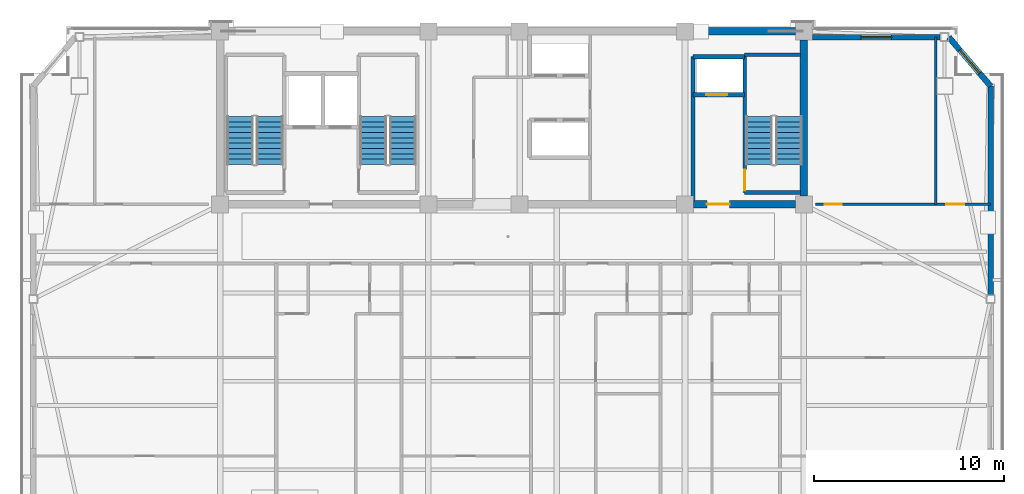
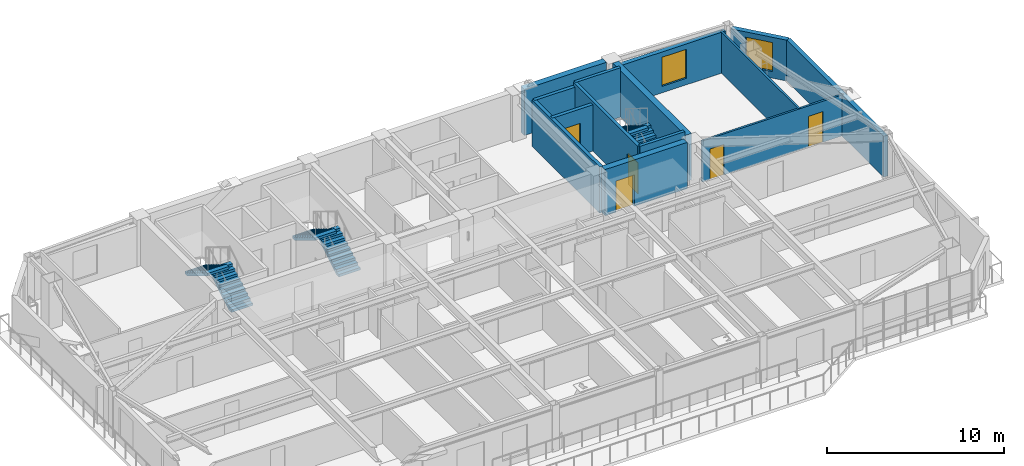
# One storey, part 10 of 15: 14 walls, 6 stair flights, 5 doors, 2 windows, 7 openings, 3 elements without a shape of their own.
"""IFC4 building model written with IfcOpenShell, lengths in metres."""

from ifc_helpers import new_model, si_unit, direction, frame, frame_2d, origin, place, context, subcontext, project, spatial, polyline, rectangle, outline, extrude, source, transform, mapped, material, layer, layer_set, type_object, element, fill, aggregate, save


model = new_model("IFC4")

# Units and contexts
model_context = context("Model", 3, precision=1e-05, world=origin(), true_north=direction((0.0, 1.0)))
body_context = subcontext(model_context, "Body", "Model", "MODEL_VIEW")
ifc_project = project(units=[si_unit("LENGTHUNIT", "METRE"), si_unit("AREAUNIT", "SQUARE_METRE"), si_unit("VOLUMEUNIT", "CUBIC_METRE"), si_unit("PLANEANGLEUNIT", "RADIAN"), si_unit("MASSUNIT", "GRAM", prefix="KILO")], contexts=[model_context])

# Site, building, storey
site_placement = place(None, origin())
site = spatial("IfcSite", under=ifc_project, at=site_placement, CompositionType="ELEMENT")
building_placement = place(site_placement, origin())
building = spatial("IfcBuilding", under=site, at=building_placement, Name="Giltprow Tower", CompositionType="ELEMENT")
storey_placement = place(building_placement, frame((0.0, 0.0, 293.800048828125)))
storey = spatial("IfcBuildingStorey", under=building, at=storey_placement, Name="L75", CompositionType="ELEMENT", Elevation=293.800048828125)

# Wall, opening, window
ifc_material_1 = material(Name="Precast concrete C40", Category="concrete")
ifc_layer_1 = layer(ifc_material_1, 0.300048828125, Name="Precast concrete C40")
ifc_layer_set_1 = layer_set([ifc_layer_1], Name="Precast concrete C40")
wall_type_1 = type_object("IfcWallType", Name="EW-NOTCH-CHAMFER-300", PredefinedType="SOLIDWALL", material=ifc_layer_set_1)
wall_1_placement = place(storey_placement, frame((60.3759765625, 43.6689453125, 0.0), z_axis=(0.0, 0.0, 1.0), x_axis=(-0.649724860602, 0.76016945842, 0.0)))
wall_1 = element("IfcWall", 1, at=wall_1_placement, inside=storey, type_object=wall_type_1, Name="L75 Corner Notch Wall NE", PredefinedType="SOLIDWALL", context=body_context, shape_type="SweptSolid", body=[
    extrude(rectangle(XDim=3.395263671875, YDim=0.300048828125, at=frame_2d((1.69775390625, 0.0))), origin(), (0.0, 0.0, 1.0), 2.81494140625),
])
opening_1_placement = place(wall_1_placement, frame((0.89794921875, 0.0, 0.449951171875)))
opening_1 = element("IfcOpeningElement", 2, at=opening_1_placement, cuts=wall_1, Name="Opening WN17", PredefinedType="OPENING", context=body_context, shape_type="SweptSolid", body=[
    extrude(rectangle(XDim=1.60009765625, YDim=2.0, at=frame_2d((0.800048828125, 1.0))), frame((0.0, 0.159912109375, 0.0), z_axis=(0.0, -1.0, 0.0), x_axis=(1.0, 0.0, 0.0)), (0.0, 0.0, 1.0), 0.320068359375),
])
ifc_material_2 = material(Name="Insulated glass", Category="glass")
window_type = type_object("IfcWindowType", Name="WN-COR-1600x2000", PartitioningType="SINGLE_PANEL", PredefinedType="WINDOW", material=ifc_material_2)
shared_shape_1 = source(origin(), body_context, "Body", "SweptSolid", [
    extrude(rectangle(XDim=1.60009765625, YDim=2.0, at=frame_2d((0.800048828125, 1.0))), frame((0.0, 0.030029296875, 0.0), z_axis=(0.0, -1.0, 0.0), x_axis=(1.0, 0.0, 0.0)), (0.0, 0.0, 1.0), 0.06005859375),
])
window_1_placement = place(opening_1_placement, origin())
window_1 = element("IfcWindow", 3, at=window_1_placement, inside=storey, type_object=window_type, Name="L75 Corner Notch Window NE", OverallHeight=2.0, OverallWidth=1.60009765625, PartitioningType="SINGLE_PANEL", PredefinedType="WINDOW", context=body_context, shape_type="MappedRepresentation", body=[
    mapped(shared_shape_1, transform((0.0, 0.0, 0.0), x_axis=(1.0, 0.0, 0.0), y_axis=(0.0, 1.0, 0.0), z_axis=(0.0, 0.0, 1.0), scale=1.0)),
])
fill(opening_1, window_1)

# Wall
ifc_layer_2 = layer(ifc_material_1, 0.280029296875, Name="Precast concrete C40")
ifc_layer_set_2 = layer_set([ifc_layer_2], Name="Precast concrete C40")
wall_type_2 = type_object("IfcWallType", Name="EW-TOW-BRONZE-280", PredefinedType="SOLIDWALL", material=ifc_layer_set_2)
wall_2_placement = place(storey_placement, frame((60.3759765625, 32.696044921875, 0.0), z_axis=(0.0, 0.0, 1.0), x_axis=(0.0, 1.0, 0.0)))
element("IfcWall", 4, at=wall_2_placement, inside=storey, type_object=wall_type_2, Name="L75 E Wing Masonry Wall 2", PredefinedType="SOLIDWALL", context=body_context, shape_type="SweptSolid", body=[
    extrude(rectangle(XDim=10.972900390625, YDim=0.280029296875, at=frame_2d((5.486328125, 0.0))), origin(), (0.0, 0.0, 1.0), 2.81494140625),
])

# Wall, opening, window
wall_3_placement = place(storey_placement, frame((51.0, 46.25, 0.0), z_axis=(0.0, 0.0, 1.0), x_axis=(1.0, 0.0, 0.0)))
wall_3 = element("IfcWall", 5, at=wall_3_placement, inside=storey, type_object=wall_type_2, Name="L75 North-East Wing Wall", PredefinedType="SOLIDWALL", context=body_context, shape_type="SweptSolid", body=[
    extrude(rectangle(XDim=6.719970703125, YDim=0.280029296875, at=frame_2d((3.35986328125, 0.0))), origin(), (0.0, 0.0, 1.0), 2.81494140625),
])
opening_2_placement = place(wall_3_placement, frame((2.56005859375, 0.0, 0.449951171875)))
opening_2 = element("IfcOpeningElement", 6, at=opening_2_placement, cuts=wall_3, Name="Opening WN17", PredefinedType="OPENING", context=body_context, shape_type="SweptSolid", body=[
    extrude(rectangle(XDim=1.60009765625, YDim=2.0, at=frame_2d((0.800048828125, 1.0))), frame((0.0, 0.14990234375, 0.0), z_axis=(0.0, -1.0, 0.0), x_axis=(1.0, 0.0, 0.0)), (0.0, 0.0, 1.0), 0.300048828125),
])
window_2_placement = place(opening_2_placement, origin())
window_2 = element("IfcWindow", 7, at=window_2_placement, inside=storey, type_object=window_type, Name="L75 North-East Window", OverallHeight=2.0, OverallWidth=1.60009765625, PartitioningType="SINGLE_PANEL", PredefinedType="WINDOW", context=body_context, shape_type="MappedRepresentation", body=[
    mapped(shared_shape_1, transform((0.0, 0.0, 0.0), x_axis=(1.0, 0.0, 0.0), y_axis=(0.0, 1.0, 0.0), z_axis=(0.0, 0.0, 1.0), scale=1.0)),
])
fill(opening_2, window_2)

# Wall, opening, door
ifc_material_3 = material(Name="Concrete C40", Category="concrete")
ifc_layer_3 = layer(ifc_material_3, 0.219970703125, Name="Concrete C40")
ifc_layer_set_3 = layer_set([ifc_layer_3], Name="Concrete C40")
wall_type_3 = type_object("IfcWallType", Name="IW-SHAFT-220", PredefinedType="SOLIDWALL", material=ifc_layer_set_3)
wall_4_placement = place(storey_placement, frame((44.719970703125, 43.219970703125, 0.0), z_axis=(0.0, 0.0, 1.0), x_axis=(1.0, 0.0, 0.0)))
wall_4 = element("IfcWall", 8, at=wall_4_placement, inside=storey, type_object=wall_type_3, Name="L75 FFL2 Front Shaft Wall", PredefinedType="SOLIDWALL", context=body_context, shape_type="SweptSolid", body=[
    extrude(rectangle(XDim=2.719970703125, YDim=0.219970703125, at=frame_2d((1.35986328125, 0.0))), origin(), (0.0, 0.0, 1.0), 3.18505859375),
])
opening_3_placement = place(wall_4_placement, frame((0.699951171875, 0.0, 0.0)))
opening_3 = element("IfcOpeningElement", 9, at=opening_3_placement, cuts=wall_4, Name="Opening LD-11", PredefinedType="OPENING", context=body_context, shape_type="SweptSolid", body=[
    extrude(rectangle(XDim=1.10009765625, YDim=2.199951171875, at=frame_2d((0.550048828125, 1.10009765625))), frame((0.0, 0.119873046875, 0.0), z_axis=(0.0, -1.0, 0.0), x_axis=(1.0, 0.0, 0.0)), (0.0, 0.0, 1.0), 0.239990234375),
])
ifc_material_4 = material(Name="Stainless steel", Category="steel")
door_type_1 = type_object("IfcDoorType", Name="DR-LIFT-LD1100", OperationType="SLIDING_TO_LEFT", PredefinedType="DOOR", material=ifc_material_4)
shared_shape_2 = source(origin(), body_context, "Body", "SweptSolid", [
    extrude(rectangle(XDim=1.10009765625, YDim=2.199951171875, at=frame_2d((0.550048828125, 1.10009765625))), frame((0.0, 0.02490234375, 0.0), z_axis=(0.0, -1.0, 0.0), x_axis=(1.0, 0.0, 0.0)), (0.0, 0.0, 1.0), 0.050048828125),
])
door_1_placement = place(opening_3_placement, origin())
door_1 = element("IfcDoor", 10, at=door_1_placement, inside=storey, type_object=door_type_1, Name="L75 FFL2 Landing Door", OperationType="SLIDING_TO_LEFT", OverallHeight=2.199951171875, OverallWidth=1.10009765625, PredefinedType="DOOR", context=body_context, shape_type="MappedRepresentation", body=[
    mapped(shared_shape_2, transform((0.0, 0.0, 0.0), x_axis=(1.0, 0.0, 0.0), y_axis=(0.0, 1.0, 0.0), z_axis=(0.0, 0.0, 1.0), scale=1.0)),
])
fill(opening_3, door_1)

# Walls
wall_5_placement = place(storey_placement, frame((44.719970703125, 45.219970703125, 0.0), z_axis=(0.0, 0.0, 1.0), x_axis=(1.0, 0.0, 0.0)))
element("IfcWall", 11, at=wall_5_placement, inside=storey, type_object=wall_type_3, Name="L75 FFL2 Back Shaft Wall", PredefinedType="SOLIDWALL", context=body_context, shape_type="SweptSolid", body=[
    extrude(rectangle(XDim=2.719970703125, YDim=0.219970703125, at=frame_2d((1.35986328125, 0.0))), origin(), (0.0, 0.0, 1.0), 3.18505859375),
])
wall_6_placement = place(storey_placement, frame((44.719970703125, 37.6298828125, 0.0), z_axis=(0.0, 0.0, 1.0), x_axis=(0.0, 1.0, 0.0)))
element("IfcWall", 12, at=wall_6_placement, inside=storey, type_object=wall_type_3, Name="L75 East Firefighting Lobby West Wall", PredefinedType="SOLIDWALL", context=body_context, shape_type="SweptSolid", body=[
    extrude(rectangle(XDim=7.590087890625, YDim=0.219970703125, at=frame_2d((3.794921875, 0.0))), origin(), (0.0, 0.0, 1.0), 3.18505859375),
])

# Wall, opening, door
ifc_layer_4 = layer(ifc_material_3, 0.199951171875, Name="Concrete C40")
ifc_layer_set_4 = layer_set([ifc_layer_4], Name="Concrete C40")
wall_type_4 = type_object("IfcWallType", Name="IW-STAIR-200", PredefinedType="SOLIDWALL", material=ifc_layer_set_4)
wall_7_placement = place(storey_placement, frame((47.43994140625, 38.070068359375, 0.0), z_axis=(0.0, 0.0, 1.0), x_axis=(0.0, 1.0, 0.0)))
wall_7 = element("IfcWall", 13, at=wall_7_placement, inside=storey, type_object=wall_type_4, Name="L75 Stair ST-3 West Bearing Wall", PredefinedType="SOLIDWALL", context=body_context, shape_type="SweptSolid", body=[
    extrude(rectangle(XDim=7.25, YDim=0.199951171875, at=frame_2d((3.625, 0.0))), origin(), (0.0, 0.0, 1.0), 3.39990234375),
])
opening_4_placement = place(wall_7_placement, frame((0.110107421875, 0.0, 0.0)))
opening_4 = element("IfcOpeningElement", 14, at=opening_4_placement, cuts=wall_7, Name="Opening ID33", PredefinedType="OPENING", context=body_context, shape_type="SweptSolid", body=[
    extrude(rectangle(XDim=1.10009765625, YDim=2.14990234375, at=frame_2d((0.550048828125, 1.074951171875))), frame((0.0, 0.10986328125, 0.0), z_axis=(0.0, -1.0, 0.0), x_axis=(1.0, 0.0, 0.0)), (0.0, 0.0, 1.0), 0.219970703125),
])
ifc_material_5 = material(Name="Steel fire leaf", Category="steel")
door_type_2 = type_object("IfcDoorType", Name="DR-STAIR-1100", OperationType="SINGLE_SWING_LEFT", PredefinedType="DOOR", material=ifc_material_5)
shared_shape_3 = source(origin(), body_context, "Body", "SweptSolid", [
    extrude(rectangle(XDim=1.10009765625, YDim=2.14990234375, at=frame_2d((0.550048828125, 1.074951171875))), frame((0.0, 0.02490234375, 0.0), z_axis=(0.0, -1.0, 0.0), x_axis=(1.0, 0.0, 0.0)), (0.0, 0.0, 1.0), 0.050048828125),
])
door_2_placement = place(opening_4_placement, origin())
door_2 = element("IfcDoor", 15, at=door_2_placement, inside=storey, type_object=door_type_2, Name="L75 Stair ST-3 Fire Door", OperationType="SINGLE_SWING_RIGHT", OverallHeight=2.14990234375, OverallWidth=1.10009765625, PredefinedType="DOOR", context=body_context, shape_type="MappedRepresentation", body=[
    mapped(shared_shape_3, transform((0.0, 0.0, 0.0), x_axis=(1.0, 0.0, 0.0), y_axis=(0.0, 1.0, 0.0), z_axis=(0.0, 0.0, 1.0), scale=1.0)),
])
fill(opening_4, door_2)

# Walls
for number, where, z_axis, x_axis, name in (
    (16, (47.43994140625, 45.320068359375, 0.0), (0.0, 0.0, 1.0), (1.0, 0.0, 0.0), "L75 Stair ST-3 North Bearing Wall"),
    (17, (47.43994140625, 38.070068359375, 0.0), (0.0, 0.0, 1.0), (1.0, 0.0, 0.0), "L75 Stair ST-3 South Bearing Wall"),
):
    element("IfcWall", number, at=place(storey_placement, frame(where, z_axis=z_axis, x_axis=x_axis)), inside=storey, type_object=wall_type_4, Name=name, PredefinedType="SOLIDWALL", context=body_context, shape_type="SweptSolid", body=[
        extrude(rectangle(XDim=2.93017578125, YDim=0.199951171875, at=frame_2d((1.465087890625, 0.0))), origin(), (0.0, 0.0, 1.0), 3.39990234375),
    ])

# Wall, openings, doors
ifc_material_6 = material(Name="Concrete C30", Category="concrete")
ifc_layer_5 = layer(ifc_material_6, 0.1298828125, Name="Concrete C30")
ifc_layer_set_5 = layer_set([ifc_layer_5], Name="Concrete C30")
wall_type_5 = type_object("IfcWallType", Name="IW-WET-130", PredefinedType="PARTITIONING", material=ifc_layer_set_5)
wall_8_placement = place(storey_placement, frame((51.14990234375, 37.449951171875, 0.0), z_axis=(0.0, 0.0, 1.0), x_axis=(1.0, 0.0, 0.0)))
wall_8 = element("IfcWall", 18, at=wall_8_placement, inside=storey, type_object=wall_type_5, Name="L75 NE Wing South Wall", PredefinedType="PARTITIONING", context=body_context, shape_type="SweptSolid", body=[
    extrude(rectangle(XDim=9.22607421875, YDim=0.1298828125, at=frame_2d((4.613037109375, 0.0))), origin(), (0.0, 0.0, 1.0), 2.820068359375),
])
opening_5_placement = place(wall_8_placement, frame((0.5, 0.0, 0.0)))
opening_5 = element("IfcOpeningElement", 19, at=opening_5_placement, cuts=wall_8, Name="Opening ID15", PredefinedType="OPENING", context=body_context, shape_type="SweptSolid", body=[
    extrude(rectangle(XDim=0.89990234375, YDim=2.10009765625, at=frame_2d((0.449951171875, 1.050048828125))), frame((0.0, 0.074951171875, 0.0), z_axis=(0.0, -1.0, 0.0), x_axis=(1.0, 0.0, 0.0)), (0.0, 0.0, 1.0), 0.14990234375),
])
opening_6_placement = place(wall_8_placement, frame((6.89794921875, 0.0, 0.0)))
opening_6 = element("IfcOpeningElement", 20, at=opening_6_placement, cuts=wall_8, Name="Opening ID11", PredefinedType="OPENING", context=body_context, shape_type="SweptSolid", body=[
    extrude(rectangle(XDim=0.949951171875, YDim=2.10009765625, at=frame_2d((0.47509765625, 1.050048828125))), frame((0.0, 0.074951171875, 0.0), z_axis=(0.0, -1.0, 0.0), x_axis=(1.0, 0.0, 0.0)), (0.0, 0.0, 1.0), 0.14990234375),
])
ifc_material_7 = material(Name="Engineered timber", Category="wood")
door_type_3 = type_object("IfcDoorType", Name="DR-WC-900", OperationType="SINGLE_SWING_LEFT", PredefinedType="DOOR", material=ifc_material_7)
shared_shape_4 = source(origin(), body_context, "Body", "SweptSolid", [
    extrude(rectangle(XDim=0.89990234375, YDim=2.10009765625, at=frame_2d((0.449951171875, 1.050048828125))), frame((0.0, 0.02490234375, 0.0), z_axis=(0.0, -1.0, 0.0), x_axis=(1.0, 0.0, 0.0)), (0.0, 0.0, 1.0), 0.050048828125),
])
door_3_placement = place(opening_5_placement, origin())
door_3 = element("IfcDoor", 21, at=door_3_placement, inside=storey, type_object=door_type_3, Name="L75 East Wing Washroom Door", OperationType="SINGLE_SWING_RIGHT", OverallHeight=2.10009765625, OverallWidth=0.89990234375, PredefinedType="DOOR", context=body_context, shape_type="MappedRepresentation", body=[
    mapped(shared_shape_4, transform((0.0, 0.0, 0.0), x_axis=(1.0, 0.0, 0.0), y_axis=(0.0, 1.0, 0.0), z_axis=(0.0, 0.0, 1.0), scale=1.0)),
])
fill(opening_5, door_3)
door_type_4 = type_object("IfcDoorType", Name="DR-ROOM-950", OperationType="SINGLE_SWING_RIGHT", PredefinedType="DOOR", material=ifc_material_7)
shared_shape_5 = source(origin(), body_context, "Body", "SweptSolid", [
    extrude(rectangle(XDim=0.949951171875, YDim=2.10009765625, at=frame_2d((0.47509765625, 1.050048828125))), frame((0.0, 0.02490234375, 0.0), z_axis=(0.0, -1.0, 0.0), x_axis=(1.0, 0.0, 0.0)), (0.0, 0.0, 1.0), 0.050048828125),
])
door_4_placement = place(opening_6_placement, origin())
door_4 = element("IfcDoor", 22, at=door_4_placement, inside=storey, type_object=door_type_4, Name="L75 Residents Reading Lounge Door", OperationType="SINGLE_SWING_LEFT", OverallHeight=2.10009765625, OverallWidth=0.949951171875, PredefinedType="DOOR", context=body_context, shape_type="MappedRepresentation", body=[
    mapped(shared_shape_5, transform((0.0, 0.0, 0.0), x_axis=(1.0, 0.0, 0.0), y_axis=(0.0, 1.0, 0.0), z_axis=(0.0, 0.0, 1.0), scale=1.0)),
])
fill(opening_6, door_4)

# Walls
wall_9_placement = place(storey_placement, frame((57.498046875, 37.449951171875, 0.0), z_axis=(0.0, 0.0, 1.0), x_axis=(0.0, 1.0, 0.0)))
element("IfcWall", 23, at=wall_9_placement, inside=storey, type_object=wall_type_5, Name="L75 NE Wing Divider", PredefinedType="PARTITIONING", context=body_context, shape_type="SweptSolid", body=[
    extrude(rectangle(XDim=8.800048828125, YDim=0.1298828125, at=frame_2d((4.39990234375, 0.0))), origin(), (0.0, 0.0, 1.0), 2.820068359375),
])
ifc_material_8 = material(Name="Concrete C45", Category="concrete")
ifc_layer_6 = layer(ifc_material_8, 0.39990234375, Name="Concrete C45")
ifc_layer_set_6 = layer_set([ifc_layer_6], Name="Concrete C45")
wall_type_6 = type_object("IfcWallType", Name="SW-EXT-400-C45", PredefinedType="SHEAR", material=ifc_layer_set_6)
wall_10_placement = place(storey_placement, frame((44.75, 46.550048828125, 0.0), z_axis=(0.0, 0.0, 1.0), x_axis=(1.0, 0.0, 0.0)))
element("IfcWall", 24, at=wall_10_placement, inside=storey, type_object=wall_type_6, Name="L75 North Rear Core Shear Wall 4", PredefinedType="SHEAR", context=body_context, shape_type="SweptSolid", body=[
    extrude(rectangle(XDim=5.35009765625, YDim=0.39990234375, at=frame_2d((2.675048828125, 0.0))), origin(), (0.0, 0.0, 1.0), 3.18505859375),
])

# Wall, opening, door
ifc_layer_7 = layer(ifc_material_8, 0.39990234375, Name="Concrete C45")
ifc_layer_set_7 = layer_set([ifc_layer_7], Name="Concrete C45")
wall_type_7 = type_object("IfcWallType", Name="SW-INT-400-C45", PredefinedType="SHEAR", material=ifc_layer_set_7)
wall_11_placement = place(storey_placement, frame((44.75, 37.449951171875, 0.0), z_axis=(0.0, 0.0, 1.0), x_axis=(1.0, 0.0, 0.0)))
wall_11 = element("IfcWall", 25, at=wall_11_placement, inside=storey, type_object=wall_type_7, Name="L75 South Rear Core Shear Wall East", PredefinedType="SHEAR", context=body_context, shape_type="SweptSolid", body=[
    extrude(rectangle(XDim=5.35009765625, YDim=0.39990234375, at=frame_2d((2.675048828125, 0.0))), origin(), (0.0, 0.0, 1.0), 3.18505859375),
])
opening_7_placement = place(wall_11_placement, frame((0.699951171875, 0.0, 0.0)))
opening_7 = element("IfcOpeningElement", 26, at=opening_7_placement, cuts=wall_11, Name="Opening ID19", PredefinedType="OPENING", context=body_context, shape_type="SweptSolid", body=[
    extrude(rectangle(XDim=1.199951171875, YDim=2.14990234375, at=frame_2d((0.60009765625, 1.074951171875))), frame((0.0, 0.2099609375, 0.0), z_axis=(0.0, -1.0, 0.0), x_axis=(1.0, 0.0, 0.0)), (0.0, 0.0, 1.0), 0.419921875),
])
door_type_5 = type_object("IfcDoorType", Name="DR-FFLOBBY-1200", OperationType="SINGLE_SWING_RIGHT", PredefinedType="DOOR", material=ifc_material_5)
shared_shape_6 = source(origin(), body_context, "Body", "SweptSolid", [
    extrude(rectangle(XDim=1.199951171875, YDim=2.14990234375, at=frame_2d((0.60009765625, 1.074951171875))), frame((0.0, 0.02490234375, 0.0), z_axis=(0.0, -1.0, 0.0), x_axis=(1.0, 0.0, 0.0)), (0.0, 0.0, 1.0), 0.050048828125),
])
door_5_placement = place(opening_7_placement, origin())
door_5 = element("IfcDoor", 27, at=door_5_placement, inside=storey, type_object=door_type_5, Name="L75 East Firefighting Lobby Entry Door", OperationType="SINGLE_SWING_RIGHT", OverallHeight=2.14990234375, OverallWidth=1.199951171875, PredefinedType="DOOR", context=body_context, shape_type="MappedRepresentation", body=[
    mapped(shared_shape_6, transform((0.0, 0.0, 0.0), x_axis=(1.0, 0.0, 0.0), y_axis=(0.0, 1.0, 0.0), z_axis=(0.0, 0.0, 1.0), scale=1.0)),
])
fill(opening_7, door_5)

# Wall
wall_12_placement = place(storey_placement, frame((50.550048828125, 37.89990234375, 0.0), z_axis=(0.0, 0.0, 1.0), x_axis=(0.0, 1.0, 0.0)))
element("IfcWall", 28, at=wall_12_placement, inside=storey, type_object=wall_type_7, Name="L75 E Rear Core Shear Wall", PredefinedType="SHEAR", context=body_context, shape_type="SweptSolid", body=[
    extrude(rectangle(XDim=8.2001953125, YDim=0.39990234375, at=frame_2d((4.10009765625, 0.0))), origin(), (0.0, 0.0, 1.0), 3.18505859375),
])

# Stair, stair flights
stair_type_1 = type_object("IfcStairType", Name="STR-ST-1", PredefinedType="HALF_TURN_STAIR", material=ifc_material_3)
stair_1_placement = place(storey_placement, origin())
stair_1 = element("IfcStair", 29, at=stair_1_placement, inside=storey, type_object=stair_type_1, Name="L75 Core Exit Stair ST-1", PredefinedType="HALF_TURN_STAIR")
stair_flight_type_1 = type_object("IfcStairFlightType", Name="SFL-ST-1", PredefinedType="STRAIGHT", material=ifc_material_3)
stair_flight_1_placement = place(storey_placement, frame((22.4599609375, 39.550048828125, 0.0), z_axis=(0.0, 0.0, 1.0), x_axis=(0.0, 1.0, 0.0)))
stair_flight_1 = element("IfcStairFlight", 30, at=stair_flight_1_placement, type_object=stair_flight_type_1, Name="ST-1 flight 1", NumberOfRisers=10, NumberOfTreads=9, PredefinedType="STRAIGHT", RiserHeight=0.17, TreadLength=0.28, context=body_context, shape_type="SweptSolid", body=[
    extrude(outline(polyline([(0.0, 0.0), (0.0, 0.169921875), (0.280029296875, 0.169921875), (0.280029296875, 0.340087890625), (0.56005859375, 0.340087890625), (0.56005859375, 0.510009765625), (0.840087890625, 0.510009765625), (0.840087890625, 0.679931640625), (1.1201171875, 0.679931640625), (1.1201171875, 0.85009765625), (1.39990234375, 0.85009765625), (1.39990234375, 1.02001953125), (1.679931640625, 1.02001953125), (1.679931640625, 1.18994140625), (1.9599609375, 1.18994140625), (1.9599609375, 1.360107421875), (2.239990234375, 1.360107421875), (2.239990234375, 1.530029296875), (2.52001953125, 1.530029296875), (2.52001953125, 1.699951171875), (2.52001953125, 1.354736328125), (0.288818359375, 0.0), (0.0, 0.0)])), frame((0.0, 0.699951171875, 0.0), z_axis=(0.0, -1.0, 0.0), x_axis=(1.0, 0.0, 0.0)), (0.0, 0.0, 1.0), 1.39990234375),
])
stair_flight_2_placement = place(storey_placement, frame((20.89990234375, 42.070068359375, 1.699951171875), z_axis=(0.0, 0.0, 1.0), x_axis=(0.0, -1.0, 0.0)))
stair_flight_2 = element("IfcStairFlight", 31, at=stair_flight_2_placement, type_object=stair_flight_type_1, Name="ST-1 flight 2", NumberOfRisers=10, NumberOfTreads=9, PredefinedType="STRAIGHT", RiserHeight=0.17, TreadLength=0.28, context=body_context, shape_type="SweptSolid", body=[
    extrude(outline(polyline([(0.0, 0.0), (0.0, 0.169921875), (0.280029296875, 0.169921875), (0.280029296875, 0.340087890625), (0.56005859375, 0.340087890625), (0.56005859375, 0.510009765625), (0.840087890625, 0.510009765625), (0.840087890625, 0.679931640625), (1.1201171875, 0.679931640625), (1.1201171875, 0.85009765625), (1.39990234375, 0.85009765625), (1.39990234375, 1.02001953125), (1.679931640625, 1.02001953125), (1.679931640625, 1.18994140625), (1.9599609375, 1.18994140625), (1.9599609375, 1.360107421875), (2.239990234375, 1.360107421875), (2.239990234375, 1.530029296875), (2.52001953125, 1.530029296875), (2.52001953125, 1.699951171875), (2.52001953125, 1.354736328125), (0.288818359375, 0.0), (0.0, 0.0)])), frame((0.0, 0.699951171875, 0.0), z_axis=(0.0, -1.0, 0.0), x_axis=(1.0, 0.0, 0.0)), (0.0, 0.0, 1.0), 1.39990234375),
])
aggregate(stair_1, [stair_flight_1, stair_flight_2])

stair_type_2 = type_object("IfcStairType", Name="STR-ST-2", PredefinedType="HALF_TURN_STAIR", material=ifc_material_3)
stair_2_placement = place(storey_placement, origin())
stair_2 = element("IfcStair", 32, at=stair_2_placement, inside=storey, type_object=stair_type_2, Name="L75 Core Exit Stair ST-2", PredefinedType="HALF_TURN_STAIR")
stair_flight_type_2 = type_object("IfcStairFlightType", Name="SFL-ST-2", PredefinedType="STRAIGHT", material=ifc_material_3)
stair_flight_3_placement = place(storey_placement, frame((29.4599609375, 39.550048828125, 0.0), z_axis=(0.0, 0.0, 1.0), x_axis=(0.0, 1.0, 0.0)))
stair_flight_3 = element("IfcStairFlight", 33, at=stair_flight_3_placement, type_object=stair_flight_type_2, Name="ST-2 flight 1", NumberOfRisers=10, NumberOfTreads=9, PredefinedType="STRAIGHT", RiserHeight=0.17, TreadLength=0.28, context=body_context, shape_type="SweptSolid", body=[
    extrude(outline(polyline([(0.0, 0.0), (0.0, 0.169921875), (0.280029296875, 0.169921875), (0.280029296875, 0.340087890625), (0.56005859375, 0.340087890625), (0.56005859375, 0.510009765625), (0.840087890625, 0.510009765625), (0.840087890625, 0.679931640625), (1.1201171875, 0.679931640625), (1.1201171875, 0.85009765625), (1.39990234375, 0.85009765625), (1.39990234375, 1.02001953125), (1.679931640625, 1.02001953125), (1.679931640625, 1.18994140625), (1.9599609375, 1.18994140625), (1.9599609375, 1.360107421875), (2.239990234375, 1.360107421875), (2.239990234375, 1.530029296875), (2.52001953125, 1.530029296875), (2.52001953125, 1.699951171875), (2.52001953125, 1.354736328125), (0.288818359375, 0.0), (0.0, 0.0)])), frame((0.0, 0.699951171875, 0.0), z_axis=(0.0, -1.0, 0.0), x_axis=(1.0, 0.0, 0.0)), (0.0, 0.0, 1.0), 1.39990234375),
])
stair_flight_4_placement = place(storey_placement, frame((27.89990234375, 42.070068359375, 1.699951171875), z_axis=(0.0, 0.0, 1.0), x_axis=(0.0, -1.0, 0.0)))
stair_flight_4 = element("IfcStairFlight", 34, at=stair_flight_4_placement, type_object=stair_flight_type_2, Name="ST-2 flight 2", NumberOfRisers=10, NumberOfTreads=9, PredefinedType="STRAIGHT", RiserHeight=0.17, TreadLength=0.28, context=body_context, shape_type="SweptSolid", body=[
    extrude(outline(polyline([(0.0, 0.0), (0.0, 0.169921875), (0.280029296875, 0.169921875), (0.280029296875, 0.340087890625), (0.56005859375, 0.340087890625), (0.56005859375, 0.510009765625), (0.840087890625, 0.510009765625), (0.840087890625, 0.679931640625), (1.1201171875, 0.679931640625), (1.1201171875, 0.85009765625), (1.39990234375, 0.85009765625), (1.39990234375, 1.02001953125), (1.679931640625, 1.02001953125), (1.679931640625, 1.18994140625), (1.9599609375, 1.18994140625), (1.9599609375, 1.360107421875), (2.239990234375, 1.360107421875), (2.239990234375, 1.530029296875), (2.52001953125, 1.530029296875), (2.52001953125, 1.699951171875), (2.52001953125, 1.354736328125), (0.288818359375, 0.0), (0.0, 0.0)])), frame((0.0, 0.699951171875, 0.0), z_axis=(0.0, -1.0, 0.0), x_axis=(1.0, 0.0, 0.0)), (0.0, 0.0, 1.0), 1.39990234375),
])
aggregate(stair_2, [stair_flight_3, stair_flight_4])

stair_type_3 = type_object("IfcStairType", Name="STR-ST-3", PredefinedType="HALF_TURN_STAIR", material=ifc_material_3)
stair_3_placement = place(storey_placement, origin())
stair_3 = element("IfcStair", 35, at=stair_3_placement, inside=storey, type_object=stair_type_3, Name="L75 Core Exit Stair ST-3", PredefinedType="HALF_TURN_STAIR")
stair_flight_type_3 = type_object("IfcStairFlightType", Name="SFL-ST-3", PredefinedType="STRAIGHT", material=ifc_material_3)
stair_flight_5_placement = place(storey_placement, frame((49.760009765625, 39.550048828125, 0.0), z_axis=(0.0, 0.0, 1.0), x_axis=(0.0, 1.0, 0.0)))
stair_flight_5 = element("IfcStairFlight", 36, at=stair_flight_5_placement, type_object=stair_flight_type_3, Name="ST-3 flight 1", NumberOfRisers=10, NumberOfTreads=9, PredefinedType="STRAIGHT", RiserHeight=0.17, TreadLength=0.28, context=body_context, shape_type="SweptSolid", body=[
    extrude(outline(polyline([(0.0, 0.0), (0.0, 0.169921875), (0.280029296875, 0.169921875), (0.280029296875, 0.340087890625), (0.56005859375, 0.340087890625), (0.56005859375, 0.510009765625), (0.840087890625, 0.510009765625), (0.840087890625, 0.679931640625), (1.1201171875, 0.679931640625), (1.1201171875, 0.85009765625), (1.39990234375, 0.85009765625), (1.39990234375, 1.02001953125), (1.679931640625, 1.02001953125), (1.679931640625, 1.18994140625), (1.9599609375, 1.18994140625), (1.9599609375, 1.360107421875), (2.239990234375, 1.360107421875), (2.239990234375, 1.530029296875), (2.52001953125, 1.530029296875), (2.52001953125, 1.699951171875), (2.52001953125, 1.354736328125), (0.288818359375, 0.0), (0.0, 0.0)])), frame((0.0, 0.699951171875, 0.0), z_axis=(0.0, -1.0, 0.0), x_axis=(1.0, 0.0, 0.0)), (0.0, 0.0, 1.0), 1.39990234375),
])
stair_flight_6_placement = place(storey_placement, frame((48.199951171875, 42.070068359375, 1.699951171875), z_axis=(0.0, 0.0, 1.0), x_axis=(0.0, -1.0, 0.0)))
stair_flight_6 = element("IfcStairFlight", 37, at=stair_flight_6_placement, type_object=stair_flight_type_3, Name="ST-3 flight 2", NumberOfRisers=10, NumberOfTreads=9, PredefinedType="STRAIGHT", RiserHeight=0.17, TreadLength=0.28, context=body_context, shape_type="SweptSolid", body=[
    extrude(outline(polyline([(0.0, 0.0), (0.0, 0.169921875), (0.280029296875, 0.169921875), (0.280029296875, 0.340087890625), (0.56005859375, 0.340087890625), (0.56005859375, 0.510009765625), (0.840087890625, 0.510009765625), (0.840087890625, 0.679931640625), (1.1201171875, 0.679931640625), (1.1201171875, 0.85009765625), (1.39990234375, 0.85009765625), (1.39990234375, 1.02001953125), (1.679931640625, 1.02001953125), (1.679931640625, 1.18994140625), (1.9599609375, 1.18994140625), (1.9599609375, 1.360107421875), (2.239990234375, 1.360107421875), (2.239990234375, 1.530029296875), (2.52001953125, 1.530029296875), (2.52001953125, 1.699951171875), (2.52001953125, 1.354736328125), (0.288818359375, 0.0), (0.0, 0.0)])), frame((0.0, 0.699951171875, 0.0), z_axis=(0.0, -1.0, 0.0), x_axis=(1.0, 0.0, 0.0)), (0.0, 0.0, 1.0), 1.39990234375),
])
aggregate(stair_3, [stair_flight_5, stair_flight_6])

save(model, "model.ifc")
